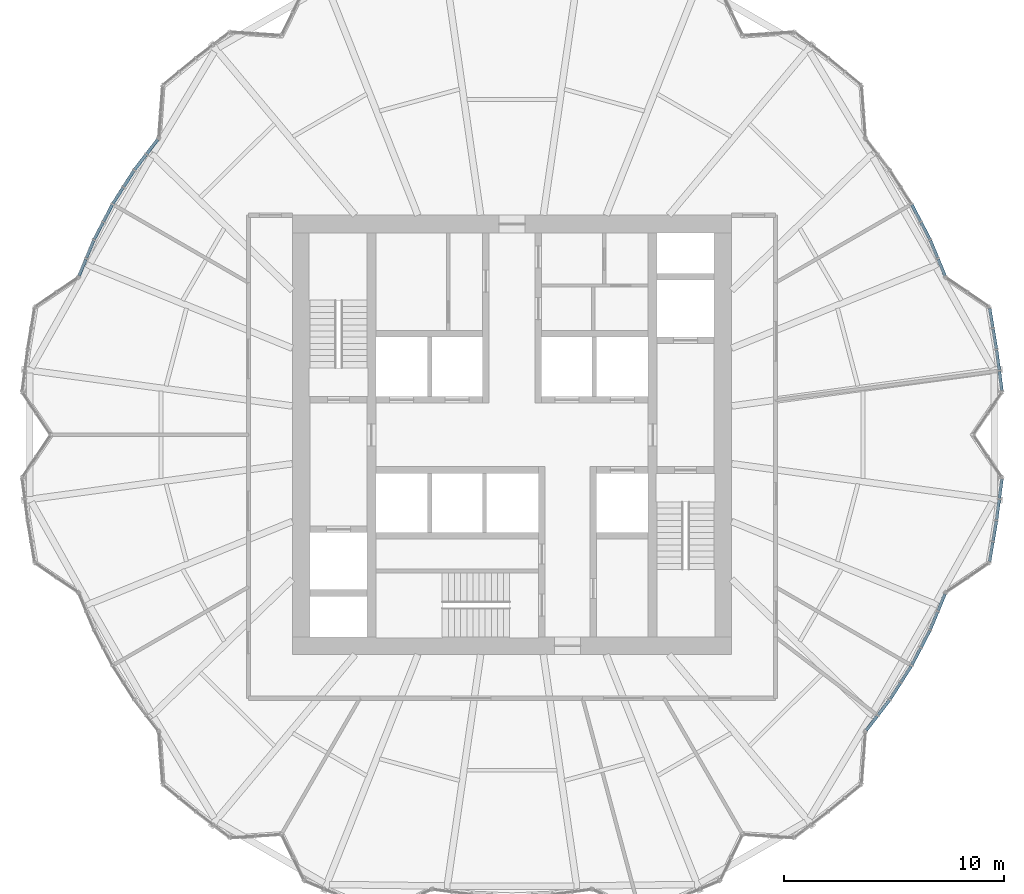
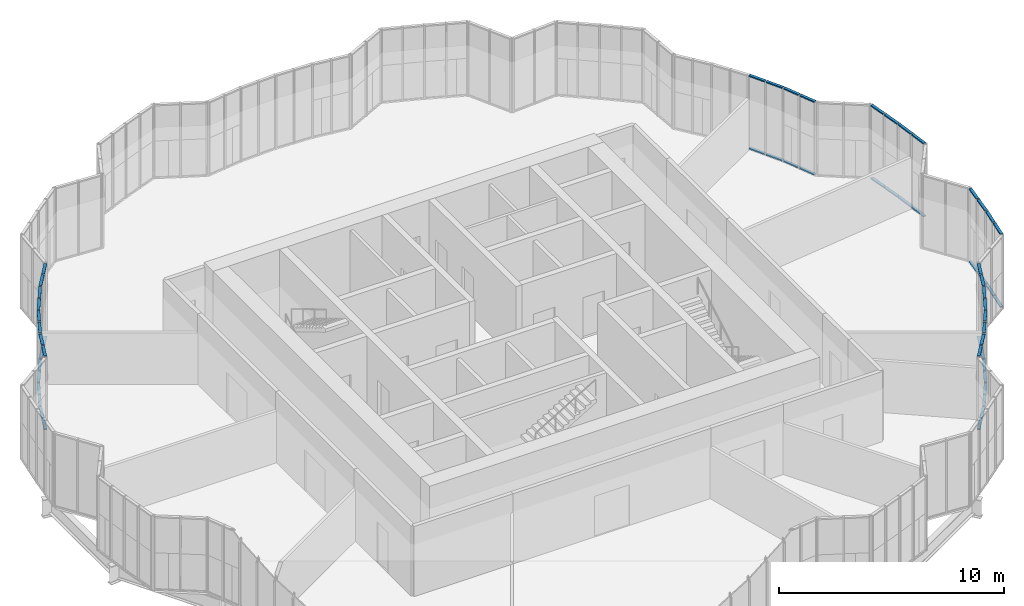
# One storey, part 10 of 22: 56 members, 14 elements without a shape of their own.
"""IFC4 building model written with IfcOpenShell, lengths in metres."""

import ifcopenshell
import ifcopenshell.guid

model = None  # the IFC model being written
_history = None  # IfcOwnerHistory: only IFC2X3 demands one
_inside = {}  # id of a spatial element -> (the spatial element, [elements in it])
_under = {}  # id of a project, library or spatial element -> (it, [spatial elements below it])
_declared = {}  # id of a project -> (the project, [libraries it declares])
_typed = {}  # id of a type object -> (the type object, [elements of that type])
_made_of = {}  # id of a material, layer set ... -> (it, [elements and type objects made of it])


def new_model(schema):
    """Start an empty IFC model of exactly this schema.

    Asked for "IFC4X3", IfcOpenShell would pick the latest addendum, in which some entities
    have other attributes; the version numbers below select the first issue.
    IFC2X3 requires an IfcOwnerHistory on every rooted entity: one is made here for all.
    """
    global model, _history
    if schema == "IFC4X3":
        model = ifcopenshell.file(schema_version=(4, 3, 0, 0))
    else:
        model = ifcopenshell.file(schema=schema)
    _inside.clear()
    _under.clear()
    _declared.clear()
    _typed.clear()
    _made_of.clear()
    _history = None
    if model.schema == "IFC2X3":
        org = make("IfcOrganization", Name="unknown")
        user = make(
            "IfcPersonAndOrganization",
            ThePerson=make("IfcPerson", FamilyName="unknown"),
            TheOrganization=org,
        )
        app = make(
            "IfcApplication",
            ApplicationDeveloper=org,
            Version="unknown",
            ApplicationFullName="unknown",
            ApplicationIdentifier="unknown",
        )
        _history = make(
            "IfcOwnerHistory",
            OwningUser=user,
            OwningApplication=app,
            ChangeAction="ADDED",
            CreationDate=0,
        )
    return model


def make(cls, **values):
    """One entity of the class cls with the attributes given. An attribute that is None is left unset."""
    return model.create_entity(
        cls, **{name: value for name, value in values.items() if value is not None}
    )


def rooted(cls, **values):
    """An entity with a GlobalId (a new one), such as an element, a storey or a relation."""
    return make(cls, GlobalId=ifcopenshell.guid.new(), OwnerHistory=_history, **values)


def si_unit(unit_type, name, prefix=None):
    """IfcSIUnit, for example si_unit("LENGTHUNIT", "METRE", prefix="MILLI")."""
    return make("IfcSIUnit", UnitType=unit_type, Prefix=prefix, Name=name)


def assignment(units):
    """IfcUnitAssignment: the units of a project."""
    return None if units is None else make("IfcUnitAssignment", Units=units)


def point(xyz):
    """IfcCartesianPoint."""
    return None if xyz is None else make("IfcCartesianPoint", Coordinates=xyz)


def direction(xyz):
    """IfcDirection."""
    return None if xyz is None else make("IfcDirection", DirectionRatios=xyz)


def frame(location, z_axis=None, x_axis=None):
    """IfcAxis2Placement3D, a coordinate frame: its origin and axes. An axis left out is left unset."""
    return make(
        "IfcAxis2Placement3D",
        Location=point(location),
        Axis=direction(z_axis),
        RefDirection=direction(x_axis),
    )


def frame_2d(location, x_axis=None):
    """IfcAxis2Placement2D, a coordinate frame in the plane: its origin and x axis."""
    return make(
        "IfcAxis2Placement2D", Location=point(location), RefDirection=direction(x_axis)
    )


def origin():
    """The frame at (0, 0, 0) with its axes left unset."""
    return frame((0.0, 0.0, 0.0))


def origin_2d():
    """The frame at (0, 0) in the plane with its x axis left unset."""
    return frame_2d((0.0, 0.0))


def place(relative_to, where):
    """IfcLocalPlacement: puts the frame where relative to a parent placement (None: the world)."""
    return make(
        "IfcLocalPlacement", PlacementRelTo=relative_to, RelativePlacement=where
    )


def context(
    kind, dimensions, precision=None, world=None, true_north=None, identifier=None
):
    """IfcGeometricRepresentationContext, for example the 3D "Model" context."""
    return make(
        "IfcGeometricRepresentationContext",
        ContextIdentifier=identifier,
        ContextType=kind,
        CoordinateSpaceDimension=dimensions,
        Precision=precision,
        WorldCoordinateSystem=world,
        TrueNorth=true_north,
    )


def subcontext(parent, identifier, kind, view, scale=None):
    """IfcGeometricRepresentationSubContext, for example "Body" below "Model"."""
    return make(
        "IfcGeometricRepresentationSubContext",
        ContextIdentifier=identifier,
        ContextType=kind,
        ParentContext=parent,
        TargetScale=scale,
        TargetView=view,
    )


def project(units=None, contexts=None):
    """IfcProject with its units and contexts."""
    return rooted(
        "IfcProject",
        Name="project",
        RepresentationContexts=contexts,
        UnitsInContext=assignment(units),
    )


def spatial(cls, under=None, at=None, **own):
    """A site, building, storey or space (cls), placed at a placement, below another one or the project."""
    s = rooted(cls, ObjectPlacement=at, **own)
    if under is not None:
        _under.setdefault(under.id(), (under, []))[1].append(s)
    return s


def profile(cls, at=None, kind="AREA", **sizes):
    """A parametric profile (cls). Its sizes go by their IFC names, for example OverallWidth=200.0."""
    return make(cls, ProfileType=kind, Position=at, **sizes)


def rectangle(**sizes):
    """IfcRectangleProfileDef."""
    return profile("IfcRectangleProfileDef", **sizes)


def extrude(swept, where, along, depth):
    """IfcExtrudedAreaSolid: the profile swept, set in the frame where, extruded along a direction by depth."""
    return make(
        "IfcExtrudedAreaSolid",
        SweptArea=swept,
        Position=where,
        ExtrudedDirection=direction(along),
        Depth=depth,
    )


def shape(context_of_items, identifier, shape_type, items):
    """IfcShapeRepresentation: the items that make up one representation, for example the "Body"."""
    return make(
        "IfcShapeRepresentation",
        ContextOfItems=context_of_items,
        RepresentationIdentifier=identifier,
        RepresentationType=shape_type,
        Items=items,
    )


def material(Name=None, Category=None):
    """IfcMaterial."""
    return make("IfcMaterial", Name=Name, Category=Category)


def material_profile(
    of_material, cross_section, Name=None, Category=None, Priority=None
):
    """IfcMaterialProfile: a cross section and its material."""
    return make(
        "IfcMaterialProfile",
        Name=Name,
        Material=of_material,
        Profile=cross_section,
        Priority=Priority,
        Category=Category,
    )


def profile_set(profiles, Name=None, composite=None):
    """IfcMaterialProfileSet."""
    return make(
        "IfcMaterialProfileSet",
        Name=Name,
        MaterialProfiles=profiles,
        CompositeProfile=composite,
    )


def made_of(thing, what):
    """Note that an element or type object is made of a material, layer set ...; save() writes the relation."""
    if what is not None:
        _made_of.setdefault(what.id(), (what, []))[1].append(thing)
    return thing


def type_object(cls, material=None, **own):
    """A type object (cls), such as IfcWallType, which elements share."""
    return made_of(rooted(cls, **own), material)


def element(
    cls,
    number,
    at=None,
    inside=None,
    cuts=None,
    type_object=None,
    material=None,
    context=None,
    identifier="Body",
    shape_type=None,
    held_by="IfcProductDefinitionShape",
    body=None,
    shapes=None,
    **own,
):
    """One element of the class cls, such as IfcWall. Its Tag is "e" and its number.

    at: its placement. inside: the storey or other place that contains it. cuts: it is an
    opening in that element (IfcRelVoidsElement). A single representation is given by context,
    identifier, shape_type and body (its items); several are given by shapes. held_by: the class
    of the entity that holds the representations. save() writes the other relations.
    """
    e = rooted(cls, Tag="e%d" % number, ObjectPlacement=at, **own)
    if body is not None:
        shapes = [shape(context, identifier, shape_type, body)]
    if shapes is not None:
        e.Representation = make(held_by, Representations=shapes)
    if inside is not None:
        _inside.setdefault(inside.id(), (inside, []))[1].append(e)
    if cuts is not None:
        rooted(
            "IfcRelVoidsElement", RelatingBuildingElement=cuts, RelatedOpeningElement=e
        )
    if type_object is not None:
        _typed.setdefault(type_object.id(), (type_object, []))[1].append(e)
    return made_of(e, material)


def aggregate(whole, parts):
    """IfcRelAggregates: a whole, such as a stair, and the parts it consists of."""
    return rooted("IfcRelAggregates", RelatingObject=whole, RelatedObjects=parts)


def save(model, path):
    """Write the relations noted so far, then the file.

    IfcRelAggregates (storeys below a building ...), IfcRelContainedInSpatialStructure (elements
    in a storey), IfcRelDefinesByType, IfcRelAssociatesMaterial and IfcRelDeclares: one each for
    every whole, place, type object, material and project.
    """
    for whole, parts in _under.values():
        aggregate(whole, parts)
    for where, things in _inside.values():
        rooted(
            "IfcRelContainedInSpatialStructure",
            RelatedElements=things,
            RelatingStructure=where,
        )
    for kind, things in _typed.values():
        rooted("IfcRelDefinesByType", RelatedObjects=things, RelatingType=kind)
    for what, things in _made_of.values():
        rooted("IfcRelAssociatesMaterial", RelatedObjects=things, RelatingMaterial=what)
    for by, libraries in _declared.values():
        rooted("IfcRelDeclares", RelatingContext=by, RelatedDefinitions=libraries)
    model.write(path)


model = new_model("IFC4")

# Units and contexts
model_context = context("Model", 3, precision=1e-05, world=origin(), true_north=direction((0.0, 1.0)))
body_context = subcontext(model_context, "Body", "Model", "MODEL_VIEW")
ifc_project = project(units=[si_unit("LENGTHUNIT", "METRE"), si_unit("AREAUNIT", "SQUARE_METRE"), si_unit("VOLUMEUNIT", "CUBIC_METRE"), si_unit("PLANEANGLEUNIT", "RADIAN"), si_unit("MASSUNIT", "GRAM", prefix="KILO")], contexts=[model_context])

# Site, building, storey
site_placement = place(None, origin())
site = spatial("IfcSite", under=ifc_project, at=site_placement, CompositionType="ELEMENT")
building_placement = place(site_placement, origin())
building = spatial("IfcBuilding", under=site, at=building_placement, Name="Golbaran Civic Tower", CompositionType="ELEMENT")
storey_placement = place(building_placement, frame((0.0, 0.0, 29.0)))
storey = spatial("IfcBuildingStorey", under=building, at=storey_placement, Name="L06", CompositionType="ELEMENT", Elevation=29.0)

# Curtain wall, members
ifc_material_1 = material(Name="Aluminium and glass", Category="aluminium")
curtain_wall_type = type_object("IfcCurtainWallType", Name="INNER SKIN CURTAIN WALL", PredefinedType="NOTDEFINED", material=ifc_material_1)
curtain_wall_1_placement = place(storey_placement, origin())
curtain_wall_1 = element("IfcCurtainWall", 1, at=curtain_wall_1_placement, inside=storey, type_object=curtain_wall_type, Name="Inner skin L06 facet 2 CW1", ObjectType="INNER SKIN", PredefinedType="USERDEFINED")
ifc_material_2 = material(Name="Aluminium", Category="aluminium")
ifc_material_profile = material_profile(ifc_material_2, rectangle(XDim=0.139892578125, YDim=0.06494140625, at=origin_2d()), Name="INNER SKIN CURTAIN WALL TRANSOM")
ifc_profile_set = profile_set([ifc_material_profile], Name="Aluminium")
member_type = type_object("IfcMemberType", Name="INNER SKIN CURTAIN WALL TRANSOM", PredefinedType="USERDEFINED", material=ifc_profile_set)
member_1_placement = place(storey_placement, frame((22.30419921875, 2.0166015625, 0.032470703125), z_axis=(-0.130490422253, 0.991449569923, 0.0), x_axis=(-0.991449569923, -0.130490422253, 0.0)))
member_1 = element("IfcMember", 2, at=member_1_placement, type_object=member_type, Name="CW1 transom 1.1", ObjectType="TRANSOM", PredefinedType="USERDEFINED", context=body_context, shape_type="SweptSolid", body=[
    extrude(rectangle(XDim=0.139892578125, YDim=0.06494140625, at=origin_2d()), origin(), (0.0, 0.0, 1.0), 0.87939453125),
])
member_2_placement = place(storey_placement, frame((22.30419921875, 2.0166015625, 3.967529296875), z_axis=(-0.130490422253, 0.991449569923, 0.0), x_axis=(-0.991449569923, -0.130490422253, 0.0)))
member_2 = element("IfcMember", 3, at=member_2_placement, type_object=member_type, Name="CW1 transom 1.2", ObjectType="TRANSOM", PredefinedType="USERDEFINED", context=body_context, shape_type="SweptSolid", body=[
    extrude(rectangle(XDim=0.139892578125, YDim=0.06494140625, at=origin_2d()), origin(), (0.0, 0.0, 1.0), 0.87939453125),
])
member_3_placement = place(storey_placement, frame((22.180908203125, 2.952880859375, 0.032470703125), z_axis=(-0.130357573259, 0.991467045894, 0.0), x_axis=(-0.991467045894, -0.130357573259, 0.0)))
member_3 = element("IfcMember", 4, at=member_3_placement, type_object=member_type, Name="CW1 transom 2.1", ObjectType="TRANSOM", PredefinedType="USERDEFINED", context=body_context, shape_type="SweptSolid", body=[
    extrude(rectangle(XDim=0.139892578125, YDim=0.06494140625, at=origin_2d()), origin(), (0.0, 0.0, 1.0), 0.912109375),
])
member_4_placement = place(storey_placement, frame((22.180908203125, 2.952880859375, 3.967529296875), z_axis=(-0.130357573259, 0.991467045894, 0.0), x_axis=(-0.991467045894, -0.130357573259, 0.0)))
member_4 = element("IfcMember", 5, at=member_4_placement, type_object=member_type, Name="CW1 transom 2.2", ObjectType="TRANSOM", PredefinedType="USERDEFINED", context=body_context, shape_type="SweptSolid", body=[
    extrude(rectangle(XDim=0.139892578125, YDim=0.06494140625, at=origin_2d()), origin(), (0.0, 0.0, 1.0), 0.912109375),
])
aggregate(curtain_wall_1, [member_1, member_2, member_3, member_4])

curtain_wall_2_placement = place(storey_placement, origin())
curtain_wall_2 = element("IfcCurtainWall", 6, at=curtain_wall_2_placement, inside=storey, type_object=curtain_wall_type, Name="Inner skin L06 facet 3 CW1", ObjectType="INNER SKIN", PredefinedType="USERDEFINED")
member_5_placement = place(storey_placement, frame((22.052490234375, 3.92138671875, 0.032470703125), z_axis=(-0.164485447989, 0.986379509824, 0.0), x_axis=(-0.986379509824, -0.164485447989, 0.0)))
member_5 = element("IfcMember", 7, at=member_5_placement, type_object=member_type, Name="CW1 transom 1.1", ObjectType="TRANSOM", PredefinedType="USERDEFINED", context=body_context, shape_type="SweptSolid", body=[
    extrude(rectangle(XDim=0.139892578125, YDim=0.06494140625, at=origin_2d()), origin(), (0.0, 0.0, 1.0), 0.915771484375),
])
member_6_placement = place(storey_placement, frame((22.052490234375, 3.92138671875, 3.967529296875), z_axis=(-0.164485447989, 0.986379509824, 0.0), x_axis=(-0.986379509824, -0.164485447989, 0.0)))
member_6 = element("IfcMember", 8, at=member_6_placement, type_object=member_type, Name="CW1 transom 1.2", ObjectType="TRANSOM", PredefinedType="USERDEFINED", context=body_context, shape_type="SweptSolid", body=[
    extrude(rectangle(XDim=0.139892578125, YDim=0.06494140625, at=origin_2d()), origin(), (0.0, 0.0, 1.0), 0.915771484375),
])
member_7_placement = place(storey_placement, frame((21.89111328125, 4.888671875, 0.032470703125), z_axis=(-0.164488646574, 0.986378976433, 0.0), x_axis=(-0.986378976433, -0.164488646574, 0.0)))
member_7 = element("IfcMember", 9, at=member_7_placement, type_object=member_type, Name="CW1 transom 2.1", ObjectType="TRANSOM", PredefinedType="USERDEFINED", context=body_context, shape_type="SweptSolid", body=[
    extrude(rectangle(XDim=0.139892578125, YDim=0.06494140625, at=origin_2d()), origin(), (0.0, 0.0, 1.0), 0.883056640625),
])
member_8_placement = place(storey_placement, frame((21.89111328125, 4.888671875, 3.967529296875), z_axis=(-0.164488646574, 0.986378976433, 0.0), x_axis=(-0.986378976433, -0.164488646574, 0.0)))
member_8 = element("IfcMember", 10, at=member_8_placement, type_object=member_type, Name="CW1 transom 2.2", ObjectType="TRANSOM", PredefinedType="USERDEFINED", context=body_context, shape_type="SweptSolid", body=[
    extrude(rectangle(XDim=0.139892578125, YDim=0.06494140625, at=origin_2d()), origin(), (0.0, 0.0, 1.0), 0.883056640625),
])
aggregate(curtain_wall_2, [member_5, member_6, member_7, member_8])

curtain_wall_3_placement = place(storey_placement, origin())
curtain_wall_3 = element("IfcCurtainWall", 11, at=curtain_wall_3_placement, inside=storey, type_object=curtain_wall_type, Name="Inner skin L06 facet 5 CW1", ObjectType="INNER SKIN", PredefinedType="USERDEFINED")
member_9_placement = place(storey_placement, frame((19.71337890625, 7.244140625, 0.032470703125), z_axis=(-0.382623964136, 0.923904162816, 0.0), x_axis=(-0.923904162816, -0.382623964136, 0.0)))
member_9 = element("IfcMember", 12, at=member_9_placement, type_object=member_type, Name="CW1 transom 1.1", ObjectType="TRANSOM", PredefinedType="USERDEFINED", context=body_context, shape_type="SweptSolid", body=[
    extrude(rectangle(XDim=0.139892578125, YDim=0.06494140625, at=origin_2d()), origin(), (0.0, 0.0, 1.0), 0.818603515625),
])
member_10_placement = place(storey_placement, frame((19.71337890625, 7.244140625, 3.967529296875), z_axis=(-0.382623964136, 0.923904162816, 0.0), x_axis=(-0.923904162816, -0.382623964136, 0.0)))
member_10 = element("IfcMember", 13, at=member_10_placement, type_object=member_type, Name="CW1 transom 1.2", ObjectType="TRANSOM", PredefinedType="USERDEFINED", context=body_context, shape_type="SweptSolid", body=[
    extrude(rectangle(XDim=0.139892578125, YDim=0.06494140625, at=origin_2d()), origin(), (0.0, 0.0, 1.0), 0.818603515625),
])
member_11_placement = place(storey_placement, frame((19.375244140625, 8.060546875, 0.032470703125), z_axis=(-0.382782280315, 0.923838582154, 0.0), x_axis=(-0.923838582154, -0.382782280315, 0.0)))
member_11 = element("IfcMember", 14, at=member_11_placement, type_object=member_type, Name="CW1 transom 2.1", ObjectType="TRANSOM", PredefinedType="USERDEFINED", context=body_context, shape_type="SweptSolid", body=[
    extrude(rectangle(XDim=0.139892578125, YDim=0.06494140625, at=origin_2d()), origin(), (0.0, 0.0, 1.0), 0.8515625),
])
member_12_placement = place(storey_placement, frame((19.375244140625, 8.060546875, 3.967529296875), z_axis=(-0.382782280315, 0.923838582154, 0.0), x_axis=(-0.923838582154, -0.382782280315, 0.0)))
member_12 = element("IfcMember", 15, at=member_12_placement, type_object=member_type, Name="CW1 transom 2.2", ObjectType="TRANSOM", PredefinedType="USERDEFINED", context=body_context, shape_type="SweptSolid", body=[
    extrude(rectangle(XDim=0.139892578125, YDim=0.06494140625, at=origin_2d()), origin(), (0.0, 0.0, 1.0), 0.8515625),
])
aggregate(curtain_wall_3, [member_9, member_10, member_11, member_12])

curtain_wall_4_placement = place(storey_placement, origin())
curtain_wall_4 = element("IfcCurtainWall", 16, at=curtain_wall_4_placement, inside=storey, type_object=curtain_wall_type, Name="Inner skin L06 facet 6 CW1", ObjectType="INNER SKIN", PredefinedType="USERDEFINED")
member_13_placement = place(storey_placement, frame((19.02197265625, 8.906005859375, 0.032470703125), z_axis=(-0.461840396749, 0.886963047669, 0.0), x_axis=(-0.886963047669, -0.461840396749, 0.0)))
member_13 = element("IfcMember", 17, at=member_13_placement, type_object=member_type, Name="CW1 transom 1.1", ObjectType="TRANSOM", PredefinedType="USERDEFINED", context=body_context, shape_type="SweptSolid", body=[
    extrude(rectangle(XDim=0.139892578125, YDim=0.06494140625, at=origin_2d()), origin(), (0.0, 0.0, 1.0), 0.85107421875),
])
member_14_placement = place(storey_placement, frame((19.02197265625, 8.906005859375, 3.967529296875), z_axis=(-0.461840396749, 0.886963047669, 0.0), x_axis=(-0.886963047669, -0.461840396749, 0.0)))
member_14 = element("IfcMember", 18, at=member_14_placement, type_object=member_type, Name="CW1 transom 1.2", ObjectType="TRANSOM", PredefinedType="USERDEFINED", context=body_context, shape_type="SweptSolid", body=[
    extrude(rectangle(XDim=0.139892578125, YDim=0.06494140625, at=origin_2d()), origin(), (0.0, 0.0, 1.0), 0.85107421875),
])
member_15_placement = place(storey_placement, frame((18.598876953125, 9.718505859375, 0.032470703125), z_axis=(-0.461722915657, 0.887024210017, 0.0), x_axis=(-0.887024210017, -0.461722915657, 0.0)))
member_15 = element("IfcMember", 19, at=member_15_placement, type_object=member_type, Name="CW1 transom 2.1", ObjectType="TRANSOM", PredefinedType="USERDEFINED", context=body_context, shape_type="SweptSolid", body=[
    extrude(rectangle(XDim=0.139892578125, YDim=0.06494140625, at=origin_2d()), origin(), (0.0, 0.0, 1.0), 0.851318359375),
])
member_16_placement = place(storey_placement, frame((18.598876953125, 9.718505859375, 3.967529296875), z_axis=(-0.461722915657, 0.887024210017, 0.0), x_axis=(-0.887024210017, -0.461722915657, 0.0)))
member_16 = element("IfcMember", 20, at=member_16_placement, type_object=member_type, Name="CW1 transom 2.2", ObjectType="TRANSOM", PredefinedType="USERDEFINED", context=body_context, shape_type="SweptSolid", body=[
    extrude(rectangle(XDim=0.139892578125, YDim=0.06494140625, at=origin_2d()), origin(), (0.0, 0.0, 1.0), 0.851318359375),
])
aggregate(curtain_wall_4, [member_13, member_14, member_15, member_16])

curtain_wall_5_placement = place(storey_placement, origin())
curtain_wall_5 = element("IfcCurtainWall", 21, at=curtain_wall_5_placement, inside=storey, type_object=curtain_wall_type, Name="Inner skin L06 facet 29 CW1", ObjectType="INNER SKIN", PredefinedType="USERDEFINED")
member_17_placement = place(storey_placement, frame((-16.13037109375, 13.4501953125, 0.032470703125), z_axis=(-0.608600551426, -0.793476760091, 0.0), x_axis=(0.793476760091, -0.608600551426, 0.0)))
member_17 = element("IfcMember", 22, at=member_17_placement, type_object=member_type, Name="CW1 transom 1.1", ObjectType="TRANSOM", PredefinedType="USERDEFINED", context=body_context, shape_type="SweptSolid", body=[
    extrude(rectangle(XDim=0.139892578125, YDim=0.06494140625, at=origin_2d()), origin(), (0.0, 0.0, 1.0), 0.81884765625),
])
member_18_placement = place(storey_placement, frame((-16.13037109375, 13.4501953125, 3.967529296875), z_axis=(-0.608600551426, -0.793476760091, 0.0), x_axis=(0.793476760091, -0.608600551426, 0.0)))
member_18 = element("IfcMember", 23, at=member_18_placement, type_object=member_type, Name="CW1 transom 1.2", ObjectType="TRANSOM", PredefinedType="USERDEFINED", context=body_context, shape_type="SweptSolid", body=[
    extrude(rectangle(XDim=0.139892578125, YDim=0.06494140625, at=origin_2d()), origin(), (0.0, 0.0, 1.0), 0.81884765625),
])
member_19_placement = place(storey_placement, frame((-16.668212890625, 12.7490234375, 0.032470703125), z_axis=(-0.608864956283, -0.793273890287, 0.0), x_axis=(0.793273890287, -0.608864956283, 0.0)))
member_19 = element("IfcMember", 24, at=member_19_placement, type_object=member_type, Name="CW1 transom 2.1", ObjectType="TRANSOM", PredefinedType="USERDEFINED", context=body_context, shape_type="SweptSolid", body=[
    extrude(rectangle(XDim=0.139892578125, YDim=0.06494140625, at=origin_2d()), origin(), (0.0, 0.0, 1.0), 0.851318359375),
])
member_20_placement = place(storey_placement, frame((-16.668212890625, 12.7490234375, 3.967529296875), z_axis=(-0.608864956283, -0.793273890287, 0.0), x_axis=(0.793273890287, -0.608864956283, 0.0)))
member_20 = element("IfcMember", 25, at=member_20_placement, type_object=member_type, Name="CW1 transom 2.2", ObjectType="TRANSOM", PredefinedType="USERDEFINED", context=body_context, shape_type="SweptSolid", body=[
    extrude(rectangle(XDim=0.139892578125, YDim=0.06494140625, at=origin_2d()), origin(), (0.0, 0.0, 1.0), 0.851318359375),
])
aggregate(curtain_wall_5, [member_17, member_18, member_19, member_20])

curtain_wall_6_placement = place(storey_placement, origin())
curtain_wall_6 = element("IfcCurtainWall", 26, at=curtain_wall_6_placement, inside=storey, type_object=curtain_wall_type, Name="Inner skin L06 facet 30 CW1", ObjectType="INNER SKIN", PredefinedType="USERDEFINED")
member_21_placement = place(storey_placement, frame((-17.2236328125, 12.0205078125, 0.032470703125), z_axis=(-0.537506352684, -0.843259699514, 0.0), x_axis=(0.843259699514, -0.537506352684, 0.0)))
member_21 = element("IfcMember", 27, at=member_21_placement, type_object=member_type, Name="CW1 transom 1.1", ObjectType="TRANSOM", PredefinedType="USERDEFINED", context=body_context, shape_type="SweptSolid", body=[
    extrude(rectangle(XDim=0.139892578125, YDim=0.06494140625, at=origin_2d()), origin(), (0.0, 0.0, 1.0), 0.85107421875),
])
member_22_placement = place(storey_placement, frame((-17.2236328125, 12.0205078125, 3.967529296875), z_axis=(-0.537506352684, -0.843259699514, 0.0), x_axis=(0.843259699514, -0.537506352684, 0.0)))
member_22 = element("IfcMember", 28, at=member_22_placement, type_object=member_type, Name="CW1 transom 1.2", ObjectType="TRANSOM", PredefinedType="USERDEFINED", context=body_context, shape_type="SweptSolid", body=[
    extrude(rectangle(XDim=0.139892578125, YDim=0.06494140625, at=origin_2d()), origin(), (0.0, 0.0, 1.0), 0.85107421875),
])
member_23_placement = place(storey_placement, frame((-17.716064453125, 11.247802734375, 0.032470703125), z_axis=(-0.537302349411, -0.843389699556, 0.0), x_axis=(0.843389699556, -0.537302349411, 0.0)))
member_23 = element("IfcMember", 29, at=member_23_placement, type_object=member_type, Name="CW1 transom 2.1", ObjectType="TRANSOM", PredefinedType="USERDEFINED", context=body_context, shape_type="SweptSolid", body=[
    extrude(rectangle(XDim=0.139892578125, YDim=0.06494140625, at=origin_2d()), origin(), (0.0, 0.0, 1.0), 0.85107421875),
])
member_24_placement = place(storey_placement, frame((-17.716064453125, 11.247802734375, 3.967529296875), z_axis=(-0.537302349411, -0.843389699556, 0.0), x_axis=(0.843389699556, -0.537302349411, 0.0)))
member_24 = element("IfcMember", 30, at=member_24_placement, type_object=member_type, Name="CW1 transom 2.2", ObjectType="TRANSOM", PredefinedType="USERDEFINED", context=body_context, shape_type="SweptSolid", body=[
    extrude(rectangle(XDim=0.139892578125, YDim=0.06494140625, at=origin_2d()), origin(), (0.0, 0.0, 1.0), 0.85107421875),
])
aggregate(curtain_wall_6, [member_21, member_22, member_23, member_24])

curtain_wall_7_placement = place(storey_placement, origin())
curtain_wall_7 = element("IfcCurtainWall", 31, at=curtain_wall_7_placement, inside=storey, type_object=curtain_wall_type, Name="Inner skin L06 facet 31 CW1", ObjectType="INNER SKIN", PredefinedType="USERDEFINED")
member_25_placement = place(storey_placement, frame((-18.205810546875, 10.4736328125, 0.032470703125), z_axis=(-0.461722915657, -0.887024210017, 0.0), x_axis=(0.887024210017, -0.461722915657, 0.0)))
member_25 = element("IfcMember", 32, at=member_25_placement, type_object=member_type, Name="CW1 transom 1.1", ObjectType="TRANSOM", PredefinedType="USERDEFINED", context=body_context, shape_type="SweptSolid", body=[
    extrude(rectangle(XDim=0.139892578125, YDim=0.06494140625, at=origin_2d()), origin(), (0.0, 0.0, 1.0), 0.851318359375),
])
member_26_placement = place(storey_placement, frame((-18.205810546875, 10.4736328125, 3.967529296875), z_axis=(-0.461722915657, -0.887024210017, 0.0), x_axis=(0.887024210017, -0.461722915657, 0.0)))
member_26 = element("IfcMember", 33, at=member_26_placement, type_object=member_type, Name="CW1 transom 1.2", ObjectType="TRANSOM", PredefinedType="USERDEFINED", context=body_context, shape_type="SweptSolid", body=[
    extrude(rectangle(XDim=0.139892578125, YDim=0.06494140625, at=origin_2d()), origin(), (0.0, 0.0, 1.0), 0.851318359375),
])
member_27_placement = place(storey_placement, frame((-18.62890625, 9.660888671875, 0.032470703125), z_axis=(-0.461840396749, -0.886963047669, 0.0), x_axis=(0.886963047669, -0.461840396749, 0.0)))
member_27 = element("IfcMember", 34, at=member_27_placement, type_object=member_type, Name="CW1 transom 2.1", ObjectType="TRANSOM", PredefinedType="USERDEFINED", context=body_context, shape_type="SweptSolid", body=[
    extrude(rectangle(XDim=0.139892578125, YDim=0.06494140625, at=origin_2d()), origin(), (0.0, 0.0, 1.0), 0.85107421875),
])
member_28_placement = place(storey_placement, frame((-18.62890625, 9.660888671875, 3.967529296875), z_axis=(-0.461840396749, -0.886963047669, 0.0), x_axis=(0.886963047669, -0.461840396749, 0.0)))
member_28 = element("IfcMember", 35, at=member_28_placement, type_object=member_type, Name="CW1 transom 2.2", ObjectType="TRANSOM", PredefinedType="USERDEFINED", context=body_context, shape_type="SweptSolid", body=[
    extrude(rectangle(XDim=0.139892578125, YDim=0.06494140625, at=origin_2d()), origin(), (0.0, 0.0, 1.0), 0.85107421875),
])
aggregate(curtain_wall_7, [member_25, member_26, member_27, member_28])

curtain_wall_8_placement = place(storey_placement, origin())
curtain_wall_8 = element("IfcCurtainWall", 36, at=curtain_wall_8_placement, inside=storey, type_object=curtain_wall_type, Name="Inner skin L06 facet 32 CW1", ObjectType="INNER SKIN", PredefinedType="USERDEFINED")
member_29_placement = place(storey_placement, frame((-19.04931640625, 8.84716796875, 0.032470703125), z_axis=(-0.382782280315, -0.923838582154, 0.0), x_axis=(0.923838582154, -0.382782280315, 0.0)))
member_29 = element("IfcMember", 37, at=member_29_placement, type_object=member_type, Name="CW1 transom 1.1", ObjectType="TRANSOM", PredefinedType="USERDEFINED", context=body_context, shape_type="SweptSolid", body=[
    extrude(rectangle(XDim=0.139892578125, YDim=0.06494140625, at=origin_2d()), origin(), (0.0, 0.0, 1.0), 0.8515625),
])
member_30_placement = place(storey_placement, frame((-19.04931640625, 8.84716796875, 3.967529296875), z_axis=(-0.382782280315, -0.923838582154, 0.0), x_axis=(0.923838582154, -0.382782280315, 0.0)))
member_30 = element("IfcMember", 38, at=member_30_placement, type_object=member_type, Name="CW1 transom 1.2", ObjectType="TRANSOM", PredefinedType="USERDEFINED", context=body_context, shape_type="SweptSolid", body=[
    extrude(rectangle(XDim=0.139892578125, YDim=0.06494140625, at=origin_2d()), origin(), (0.0, 0.0, 1.0), 0.8515625),
])
member_31_placement = place(storey_placement, frame((-19.400146484375, 8.00048828125, 0.032470703125), z_axis=(-0.382623964136, -0.923904162816, 0.0), x_axis=(0.923904162816, -0.382623964136, 0.0)))
member_31 = element("IfcMember", 39, at=member_31_placement, type_object=member_type, Name="CW1 transom 2.1", ObjectType="TRANSOM", PredefinedType="USERDEFINED", context=body_context, shape_type="SweptSolid", body=[
    extrude(rectangle(XDim=0.139892578125, YDim=0.06494140625, at=origin_2d()), origin(), (0.0, 0.0, 1.0), 0.818603515625),
])
member_32_placement = place(storey_placement, frame((-19.400146484375, 8.00048828125, 3.967529296875), z_axis=(-0.382623964136, -0.923904162816, 0.0), x_axis=(0.923904162816, -0.382623964136, 0.0)))
member_32 = element("IfcMember", 40, at=member_32_placement, type_object=member_type, Name="CW1 transom 2.2", ObjectType="TRANSOM", PredefinedType="USERDEFINED", context=body_context, shape_type="SweptSolid", body=[
    extrude(rectangle(XDim=0.139892578125, YDim=0.06494140625, at=origin_2d()), origin(), (0.0, 0.0, 1.0), 0.818603515625),
])
aggregate(curtain_wall_8, [member_29, member_30, member_31, member_32])

curtain_wall_9_placement = place(storey_placement, origin())
curtain_wall_9 = element("IfcCurtainWall", 41, at=curtain_wall_9_placement, inside=storey, type_object=curtain_wall_type, Name="Inner skin L06 facet 65 CW1", ObjectType="INNER SKIN", PredefinedType="USERDEFINED")
member_33_placement = place(storey_placement, frame((16.13037109375, -13.4501953125, 0.032470703125), z_axis=(0.608600551426, 0.793476760091, 0.0), x_axis=(-0.793476760091, 0.608600551426, 0.0)))
member_33 = element("IfcMember", 42, at=member_33_placement, type_object=member_type, Name="CW1 transom 1.1", ObjectType="TRANSOM", PredefinedType="USERDEFINED", context=body_context, shape_type="SweptSolid", body=[
    extrude(rectangle(XDim=0.139892578125, YDim=0.06494140625, at=origin_2d()), origin(), (0.0, 0.0, 1.0), 0.81884765625),
])
member_34_placement = place(storey_placement, frame((16.13037109375, -13.4501953125, 3.967529296875), z_axis=(0.608600551426, 0.793476760091, 0.0), x_axis=(-0.793476760091, 0.608600551426, 0.0)))
member_34 = element("IfcMember", 43, at=member_34_placement, type_object=member_type, Name="CW1 transom 1.2", ObjectType="TRANSOM", PredefinedType="USERDEFINED", context=body_context, shape_type="SweptSolid", body=[
    extrude(rectangle(XDim=0.139892578125, YDim=0.06494140625, at=origin_2d()), origin(), (0.0, 0.0, 1.0), 0.81884765625),
])
member_35_placement = place(storey_placement, frame((16.668212890625, -12.7490234375, 0.032470703125), z_axis=(0.608864956283, 0.793273890287, 0.0), x_axis=(-0.793273890287, 0.608864956283, 0.0)))
member_35 = element("IfcMember", 44, at=member_35_placement, type_object=member_type, Name="CW1 transom 2.1", ObjectType="TRANSOM", PredefinedType="USERDEFINED", context=body_context, shape_type="SweptSolid", body=[
    extrude(rectangle(XDim=0.139892578125, YDim=0.06494140625, at=origin_2d()), origin(), (0.0, 0.0, 1.0), 0.851318359375),
])
member_36_placement = place(storey_placement, frame((16.668212890625, -12.7490234375, 3.967529296875), z_axis=(0.608864956283, 0.793273890287, 0.0), x_axis=(-0.793273890287, 0.608864956283, 0.0)))
member_36 = element("IfcMember", 45, at=member_36_placement, type_object=member_type, Name="CW1 transom 2.2", ObjectType="TRANSOM", PredefinedType="USERDEFINED", context=body_context, shape_type="SweptSolid", body=[
    extrude(rectangle(XDim=0.139892578125, YDim=0.06494140625, at=origin_2d()), origin(), (0.0, 0.0, 1.0), 0.851318359375),
])
aggregate(curtain_wall_9, [member_33, member_34, member_35, member_36])

curtain_wall_10_placement = place(storey_placement, origin())
curtain_wall_10 = element("IfcCurtainWall", 46, at=curtain_wall_10_placement, inside=storey, type_object=curtain_wall_type, Name="Inner skin L06 facet 66 CW1", ObjectType="INNER SKIN", PredefinedType="USERDEFINED")
member_37_placement = place(storey_placement, frame((17.2236328125, -12.0205078125, 0.032470703125), z_axis=(0.537506352684, 0.843259699514, 0.0), x_axis=(-0.843259699514, 0.537506352684, 0.0)))
member_37 = element("IfcMember", 47, at=member_37_placement, type_object=member_type, Name="CW1 transom 1.1", ObjectType="TRANSOM", PredefinedType="USERDEFINED", context=body_context, shape_type="SweptSolid", body=[
    extrude(rectangle(XDim=0.139892578125, YDim=0.06494140625, at=origin_2d()), origin(), (0.0, 0.0, 1.0), 0.85107421875),
])
member_38_placement = place(storey_placement, frame((17.2236328125, -12.0205078125, 3.967529296875), z_axis=(0.537506352684, 0.843259699514, 0.0), x_axis=(-0.843259699514, 0.537506352684, 0.0)))
member_38 = element("IfcMember", 48, at=member_38_placement, type_object=member_type, Name="CW1 transom 1.2", ObjectType="TRANSOM", PredefinedType="USERDEFINED", context=body_context, shape_type="SweptSolid", body=[
    extrude(rectangle(XDim=0.139892578125, YDim=0.06494140625, at=origin_2d()), origin(), (0.0, 0.0, 1.0), 0.85107421875),
])
member_39_placement = place(storey_placement, frame((17.716064453125, -11.247802734375, 0.032470703125), z_axis=(0.537302349411, 0.843389699556, 0.0), x_axis=(-0.843389699556, 0.537302349411, 0.0)))
member_39 = element("IfcMember", 49, at=member_39_placement, type_object=member_type, Name="CW1 transom 2.1", ObjectType="TRANSOM", PredefinedType="USERDEFINED", context=body_context, shape_type="SweptSolid", body=[
    extrude(rectangle(XDim=0.139892578125, YDim=0.06494140625, at=origin_2d()), origin(), (0.0, 0.0, 1.0), 0.85107421875),
])
member_40_placement = place(storey_placement, frame((17.716064453125, -11.247802734375, 3.967529296875), z_axis=(0.537302349411, 0.843389699556, 0.0), x_axis=(-0.843389699556, 0.537302349411, 0.0)))
member_40 = element("IfcMember", 50, at=member_40_placement, type_object=member_type, Name="CW1 transom 2.2", ObjectType="TRANSOM", PredefinedType="USERDEFINED", context=body_context, shape_type="SweptSolid", body=[
    extrude(rectangle(XDim=0.139892578125, YDim=0.06494140625, at=origin_2d()), origin(), (0.0, 0.0, 1.0), 0.85107421875),
])
aggregate(curtain_wall_10, [member_37, member_38, member_39, member_40])

curtain_wall_11_placement = place(storey_placement, origin())
curtain_wall_11 = element("IfcCurtainWall", 51, at=curtain_wall_11_placement, inside=storey, type_object=curtain_wall_type, Name="Inner skin L06 facet 67 CW1", ObjectType="INNER SKIN", PredefinedType="USERDEFINED")
member_41_placement = place(storey_placement, frame((18.205810546875, -10.4736328125, 0.032470703125), z_axis=(0.461722915657, 0.887024210017, 0.0), x_axis=(-0.887024210017, 0.461722915657, 0.0)))
member_41 = element("IfcMember", 52, at=member_41_placement, type_object=member_type, Name="CW1 transom 1.1", ObjectType="TRANSOM", PredefinedType="USERDEFINED", context=body_context, shape_type="SweptSolid", body=[
    extrude(rectangle(XDim=0.139892578125, YDim=0.06494140625, at=origin_2d()), origin(), (0.0, 0.0, 1.0), 0.851318359375),
])
member_42_placement = place(storey_placement, frame((18.205810546875, -10.4736328125, 3.967529296875), z_axis=(0.461722915657, 0.887024210017, 0.0), x_axis=(-0.887024210017, 0.461722915657, 0.0)))
member_42 = element("IfcMember", 53, at=member_42_placement, type_object=member_type, Name="CW1 transom 1.2", ObjectType="TRANSOM", PredefinedType="USERDEFINED", context=body_context, shape_type="SweptSolid", body=[
    extrude(rectangle(XDim=0.139892578125, YDim=0.06494140625, at=origin_2d()), origin(), (0.0, 0.0, 1.0), 0.851318359375),
])
member_43_placement = place(storey_placement, frame((18.62890625, -9.660888671875, 0.032470703125), z_axis=(0.461840396749, 0.886963047669, 0.0), x_axis=(-0.886963047669, 0.461840396749, 0.0)))
member_43 = element("IfcMember", 54, at=member_43_placement, type_object=member_type, Name="CW1 transom 2.1", ObjectType="TRANSOM", PredefinedType="USERDEFINED", context=body_context, shape_type="SweptSolid", body=[
    extrude(rectangle(XDim=0.139892578125, YDim=0.06494140625, at=origin_2d()), origin(), (0.0, 0.0, 1.0), 0.85107421875),
])
member_44_placement = place(storey_placement, frame((18.62890625, -9.660888671875, 3.967529296875), z_axis=(0.461840396749, 0.886963047669, 0.0), x_axis=(-0.886963047669, 0.461840396749, 0.0)))
member_44 = element("IfcMember", 55, at=member_44_placement, type_object=member_type, Name="CW1 transom 2.2", ObjectType="TRANSOM", PredefinedType="USERDEFINED", context=body_context, shape_type="SweptSolid", body=[
    extrude(rectangle(XDim=0.139892578125, YDim=0.06494140625, at=origin_2d()), origin(), (0.0, 0.0, 1.0), 0.85107421875),
])
aggregate(curtain_wall_11, [member_41, member_42, member_43, member_44])

curtain_wall_12_placement = place(storey_placement, origin())
curtain_wall_12 = element("IfcCurtainWall", 56, at=curtain_wall_12_placement, inside=storey, type_object=curtain_wall_type, Name="Inner skin L06 facet 68 CW1", ObjectType="INNER SKIN", PredefinedType="USERDEFINED")
member_45_placement = place(storey_placement, frame((19.04931640625, -8.84716796875, 0.032470703125), z_axis=(0.382782280315, 0.923838582154, 0.0), x_axis=(-0.923838582154, 0.382782280315, 0.0)))
member_45 = element("IfcMember", 57, at=member_45_placement, type_object=member_type, Name="CW1 transom 1.1", ObjectType="TRANSOM", PredefinedType="USERDEFINED", context=body_context, shape_type="SweptSolid", body=[
    extrude(rectangle(XDim=0.139892578125, YDim=0.06494140625, at=origin_2d()), origin(), (0.0, 0.0, 1.0), 0.8515625),
])
member_46_placement = place(storey_placement, frame((19.04931640625, -8.84716796875, 3.967529296875), z_axis=(0.382782280315, 0.923838582154, 0.0), x_axis=(-0.923838582154, 0.382782280315, 0.0)))
member_46 = element("IfcMember", 58, at=member_46_placement, type_object=member_type, Name="CW1 transom 1.2", ObjectType="TRANSOM", PredefinedType="USERDEFINED", context=body_context, shape_type="SweptSolid", body=[
    extrude(rectangle(XDim=0.139892578125, YDim=0.06494140625, at=origin_2d()), origin(), (0.0, 0.0, 1.0), 0.8515625),
])
member_47_placement = place(storey_placement, frame((19.400146484375, -8.00048828125, 0.032470703125), z_axis=(0.382623964136, 0.923904162816, 0.0), x_axis=(-0.923904162816, 0.382623964136, 0.0)))
member_47 = element("IfcMember", 59, at=member_47_placement, type_object=member_type, Name="CW1 transom 2.1", ObjectType="TRANSOM", PredefinedType="USERDEFINED", context=body_context, shape_type="SweptSolid", body=[
    extrude(rectangle(XDim=0.139892578125, YDim=0.06494140625, at=origin_2d()), origin(), (0.0, 0.0, 1.0), 0.818603515625),
])
member_48_placement = place(storey_placement, frame((19.400146484375, -8.00048828125, 3.967529296875), z_axis=(0.382623964136, 0.923904162816, 0.0), x_axis=(-0.923904162816, 0.382623964136, 0.0)))
member_48 = element("IfcMember", 60, at=member_48_placement, type_object=member_type, Name="CW1 transom 2.2", ObjectType="TRANSOM", PredefinedType="USERDEFINED", context=body_context, shape_type="SweptSolid", body=[
    extrude(rectangle(XDim=0.139892578125, YDim=0.06494140625, at=origin_2d()), origin(), (0.0, 0.0, 1.0), 0.818603515625),
])
aggregate(curtain_wall_12, [member_45, member_46, member_47, member_48])

curtain_wall_13_placement = place(storey_placement, origin())
curtain_wall_13 = element("IfcCurtainWall", 61, at=curtain_wall_13_placement, inside=storey, type_object=curtain_wall_type, Name="Inner skin L06 facet 70 CW1", ObjectType="INNER SKIN", PredefinedType="USERDEFINED")
member_49_placement = place(storey_placement, frame((21.745849609375, -5.759765625, 0.032470703125), z_axis=(0.164488646574, 0.986378976433, 0.0), x_axis=(-0.986378976433, 0.164488646574, 0.0)))
member_49 = element("IfcMember", 62, at=member_49_placement, type_object=member_type, Name="CW1 transom 1.1", ObjectType="TRANSOM", PredefinedType="USERDEFINED", context=body_context, shape_type="SweptSolid", body=[
    extrude(rectangle(XDim=0.139892578125, YDim=0.06494140625, at=origin_2d()), origin(), (0.0, 0.0, 1.0), 0.883056640625),
])
member_50_placement = place(storey_placement, frame((21.745849609375, -5.759765625, 3.967529296875), z_axis=(0.164488646574, 0.986378976433, 0.0), x_axis=(-0.986378976433, 0.164488646574, 0.0)))
member_50 = element("IfcMember", 63, at=member_50_placement, type_object=member_type, Name="CW1 transom 1.2", ObjectType="TRANSOM", PredefinedType="USERDEFINED", context=body_context, shape_type="SweptSolid", body=[
    extrude(rectangle(XDim=0.139892578125, YDim=0.06494140625, at=origin_2d()), origin(), (0.0, 0.0, 1.0), 0.883056640625),
])
member_51_placement = place(storey_placement, frame((21.90185546875, -4.82470703125, 0.032470703125), z_axis=(0.164485447989, 0.986379509824, 0.0), x_axis=(-0.986379509824, 0.164485447989, 0.0)))
member_51 = element("IfcMember", 64, at=member_51_placement, type_object=member_type, Name="CW1 transom 2.1", ObjectType="TRANSOM", PredefinedType="USERDEFINED", context=body_context, shape_type="SweptSolid", body=[
    extrude(rectangle(XDim=0.139892578125, YDim=0.06494140625, at=origin_2d()), origin(), (0.0, 0.0, 1.0), 0.915771484375),
])
member_52_placement = place(storey_placement, frame((21.90185546875, -4.82470703125, 3.967529296875), z_axis=(0.164485447989, 0.986379509824, 0.0), x_axis=(-0.986379509824, 0.164485447989, 0.0)))
member_52 = element("IfcMember", 65, at=member_52_placement, type_object=member_type, Name="CW1 transom 2.2", ObjectType="TRANSOM", PredefinedType="USERDEFINED", context=body_context, shape_type="SweptSolid", body=[
    extrude(rectangle(XDim=0.139892578125, YDim=0.06494140625, at=origin_2d()), origin(), (0.0, 0.0, 1.0), 0.915771484375),
])
aggregate(curtain_wall_13, [member_49, member_50, member_51, member_52])

curtain_wall_14_placement = place(storey_placement, origin())
curtain_wall_14 = element("IfcCurtainWall", 66, at=curtain_wall_14_placement, inside=storey, type_object=curtain_wall_type, Name="Inner skin L06 facet 71 CW1", ObjectType="INNER SKIN", PredefinedType="USERDEFINED")
member_53_placement = place(storey_placement, frame((22.06201171875, -3.857177734375, 0.032470703125), z_axis=(0.130357573259, 0.991467045894, 0.0), x_axis=(-0.991467045894, 0.130357573259, 0.0)))
member_53 = element("IfcMember", 67, at=member_53_placement, type_object=member_type, Name="CW1 transom 1.1", ObjectType="TRANSOM", PredefinedType="USERDEFINED", context=body_context, shape_type="SweptSolid", body=[
    extrude(rectangle(XDim=0.139892578125, YDim=0.06494140625, at=origin_2d()), origin(), (0.0, 0.0, 1.0), 0.912109375),
])
member_54_placement = place(storey_placement, frame((22.06201171875, -3.857177734375, 3.967529296875), z_axis=(0.130357573259, 0.991467045894, 0.0), x_axis=(-0.991467045894, 0.130357573259, 0.0)))
member_54 = element("IfcMember", 68, at=member_54_placement, type_object=member_type, Name="CW1 transom 1.2", ObjectType="TRANSOM", PredefinedType="USERDEFINED", context=body_context, shape_type="SweptSolid", body=[
    extrude(rectangle(XDim=0.139892578125, YDim=0.06494140625, at=origin_2d()), origin(), (0.0, 0.0, 1.0), 0.912109375),
])
member_55_placement = place(storey_placement, frame((22.189453125, -2.888427734375, 0.032470703125), z_axis=(0.130490422253, 0.991449569923, 0.0), x_axis=(-0.991449569923, 0.130490422253, 0.0)))
member_55 = element("IfcMember", 69, at=member_55_placement, type_object=member_type, Name="CW1 transom 2.1", ObjectType="TRANSOM", PredefinedType="USERDEFINED", context=body_context, shape_type="SweptSolid", body=[
    extrude(rectangle(XDim=0.139892578125, YDim=0.06494140625, at=origin_2d()), origin(), (0.0, 0.0, 1.0), 0.87939453125),
])
member_56_placement = place(storey_placement, frame((22.189453125, -2.888427734375, 3.967529296875), z_axis=(0.130490422253, 0.991449569923, 0.0), x_axis=(-0.991449569923, 0.130490422253, 0.0)))
member_56 = element("IfcMember", 70, at=member_56_placement, type_object=member_type, Name="CW1 transom 2.2", ObjectType="TRANSOM", PredefinedType="USERDEFINED", context=body_context, shape_type="SweptSolid", body=[
    extrude(rectangle(XDim=0.139892578125, YDim=0.06494140625, at=origin_2d()), origin(), (0.0, 0.0, 1.0), 0.87939453125),
])
aggregate(curtain_wall_14, [member_53, member_54, member_55, member_56])

save(model, "model.ifc")
